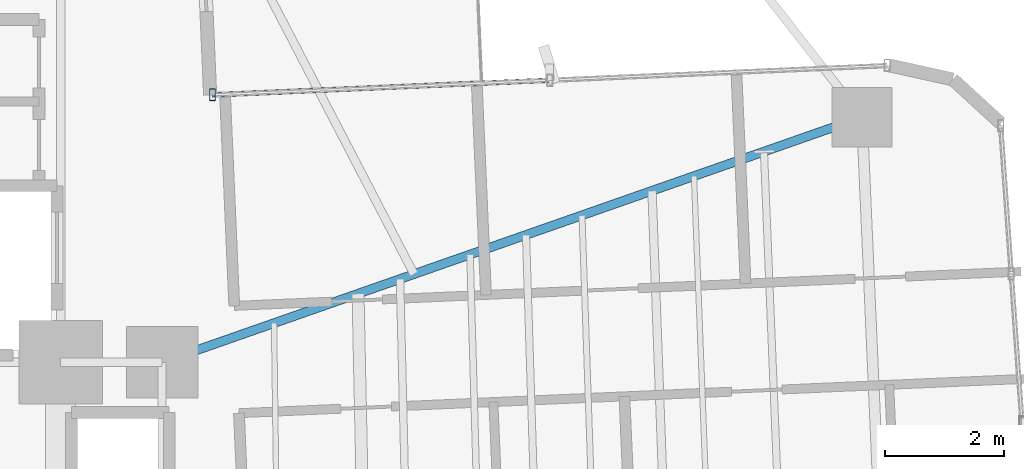
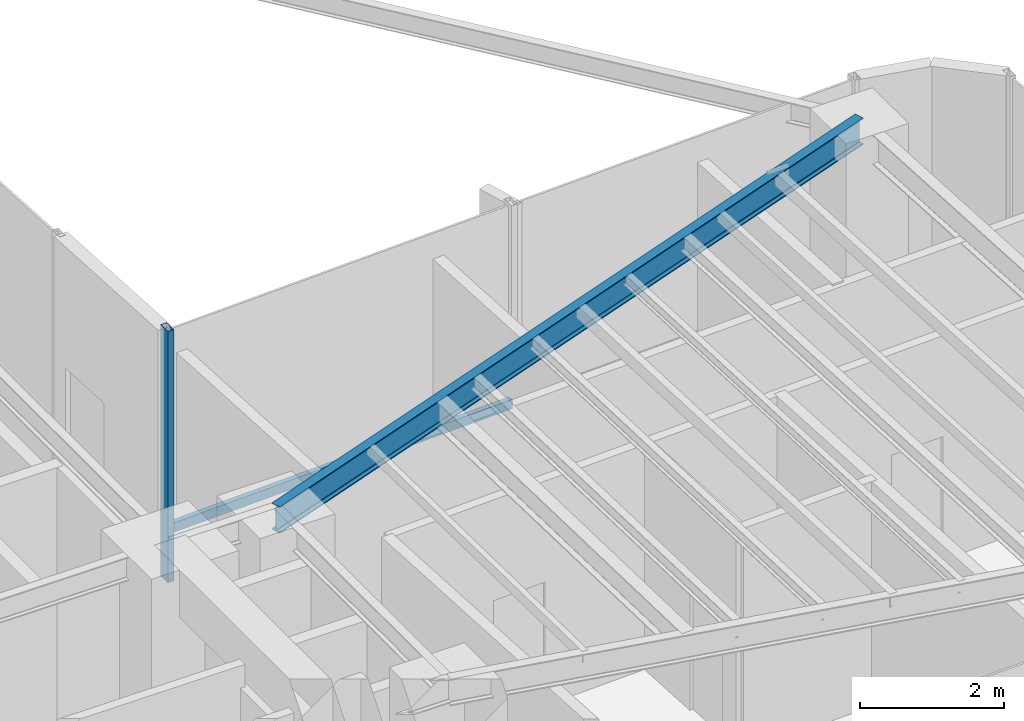
# One storey, part 7 of 23: 2 members, 1 beam, 1 element without a shape of its own.
"""IFC4 building model written with IfcOpenShell, lengths in metres."""

from ifc_helpers import new_model, si_unit, direction, frame, origin, origin_2d, place, context, subcontext, project, spatial, hollow_rectangle, i_section, extrude, source, transform, mapped, material, material_profile, profile_set, type_object, element, aggregate, save


model = new_model("IFC4")

# Units and contexts
model_context = context("Model", 3, precision=1e-05, world=origin(), true_north=direction((0.0, 1.0)))
body_context = subcontext(model_context, "Body", "Model", "MODEL_VIEW")
ifc_project = project(units=[si_unit("LENGTHUNIT", "METRE"), si_unit("AREAUNIT", "SQUARE_METRE"), si_unit("VOLUMEUNIT", "CUBIC_METRE"), si_unit("PLANEANGLEUNIT", "RADIAN"), si_unit("MASSUNIT", "GRAM", prefix="KILO")], contexts=[model_context])

# Site, building, storey
site_placement = place(None, origin())
site = spatial("IfcSite", under=ifc_project, at=site_placement, CompositionType="ELEMENT")
building_placement = place(site_placement, origin())
building = spatial("IfcBuilding", under=site, at=building_placement, Name="Sahyath Konkavel Grand Hotel", CompositionType="ELEMENT")
storey_placement = place(building_placement, frame((0.0, 0.0, 106.949951171875)))
storey = spatial("IfcBuildingStorey", under=building, at=storey_placement, Name="L29", CompositionType="ELEMENT", Elevation=106.949951171875)

# Beam
ifc_material_1 = material(Name="Steel E350", Category="steel")
ifc_material_profile_1 = material_profile(ifc_material_1, i_section(OverallWidth=0.14990234375, OverallDepth=0.449951171875, WebThickness=0.009521484375, FlangeThickness=0.017333984375, FilletRadius=0.014892578125, at=origin_2d()), Name="ISMB 450")
ifc_profile_set_1 = profile_set([ifc_material_profile_1], Name="Steel E350")
beam_type = type_object("IfcBeamType", Name="BM-ISMB450", PredefinedType="BEAM", material=ifc_profile_set_1)
shared_shape_1 = source(origin(), body_context, "Body", "SweptSolid", [
    extrude(i_section(OverallWidth=0.14990234375, OverallDepth=0.449951171875, WebThickness=0.009521484375, FlangeThickness=0.017333984375, FilletRadius=0.014892578125, at=origin_2d()), origin(), (0.0, 0.0, 1.0), 12.430908203125),
])
beam_placement = place(storey_placement, frame((5.5, 2.39990234375, 4.03515625), z_axis=(0.943819157235, 0.330462400941, 0.0), x_axis=(-0.330462400941, 0.943819157235, 0.0)))
element("IfcBeam", 1, at=beam_placement, inside=storey, type_object=beam_type, Name="L29 Cruciform Radial Girder EB", PredefinedType="BEAM", context=body_context, shape_type="MappedRepresentation", body=[
    mapped(shared_shape_1, transform((0.0, 0.0, 0.0), scale=1.0)),
])

# Curtain wall, members
ifc_material_2 = material(Name="Anodised Bronze Aluminium & Low-E Glazing", Category="aluminium")
curtain_wall_type = type_object("IfcCurtainWallType", Name="CW-SKYLOBBY", PredefinedType="NOTDEFINED", material=ifc_material_2)
curtain_wall_placement = place(storey_placement, origin())
curtain_wall = element("IfcCurtainWall", 2, at=curtain_wall_placement, inside=storey, type_object=curtain_wall_type, Name="L29 Unitised Curtain Wall F7", PredefinedType="NOTDEFINED")
ifc_material_3 = material(Name="Anodised Bronze Aluminium", Category="aluminium")
ifc_material_profile_2 = material_profile(ifc_material_3, hollow_rectangle(XDim=0.10009765625, YDim=0.199951171875, WallThickness=0.008056640625, at=origin_2d()), Name="RHS 200x100x8")
ifc_profile_set_2 = profile_set([ifc_material_profile_2], Name="Anodised Bronze Aluminium")
member_type_1 = type_object("IfcMemberType", Name="CW-MUL-200", PredefinedType="MULLION", material=ifc_profile_set_2)
shared_shape_2 = source(origin(), body_context, "Body", "SweptSolid", [
    extrude(hollow_rectangle(XDim=0.10009765625, YDim=0.199951171875, WallThickness=0.008056640625, at=origin_2d()), origin(), (0.0, 0.0, 1.0), 4.260009765625),
])
member_1_placement = place(storey_placement, frame((6.345703125, 6.88330078125, 0.0), z_axis=(0.0, 0.0, 1.0), x_axis=(1.0, 0.0, 0.0)))
member_1 = element("IfcMember", 3, at=member_1_placement, type_object=member_type_1, Name="L29 Curtain Wall Mullion F7-2", PredefinedType="MULLION", context=body_context, shape_type="MappedRepresentation", body=[
    mapped(shared_shape_2, transform((0.0, 0.0, 0.0), scale=1.0)),
])
ifc_material_profile_3 = material_profile(ifc_material_3, hollow_rectangle(XDim=0.080078125, YDim=0.159912109375, WallThickness=0.006103515625, at=origin_2d()), Name="RHS 160x80x6")
ifc_profile_set_3 = profile_set([ifc_material_profile_3], Name="Anodised Bronze Aluminium")
member_type_2 = type_object("IfcMemberType", Name="CW-TRN-160", PredefinedType="USERDEFINED", material=ifc_profile_set_3)
shared_shape_3 = source(origin(), body_context, "Body", "SweptSolid", [
    extrude(hollow_rectangle(XDim=0.080078125, YDim=0.159912109375, WallThickness=0.006103515625, at=origin_2d()), origin(), (0.0, 0.0, 1.0), 5.66015625),
])
member_2_placement = place(storey_placement, frame((12.00048828125, 7.13037109375, 0.85009765625), z_axis=(-0.9990468579, -0.043650609628, 0.0), x_axis=(0.043650609628, -0.9990468579, 0.0)))
member_2 = element("IfcMember", 4, at=member_2_placement, type_object=member_type_2, Name="L29 Curtain Wall Transom F7-1-spandrel", ObjectType="TRANSOM", PredefinedType="USERDEFINED", context=body_context, shape_type="MappedRepresentation", body=[
    mapped(shared_shape_3, transform((0.0, 0.0, 0.0), scale=1.0)),
])
aggregate(curtain_wall, [member_1, member_2])

save(model, "model.ifc")
